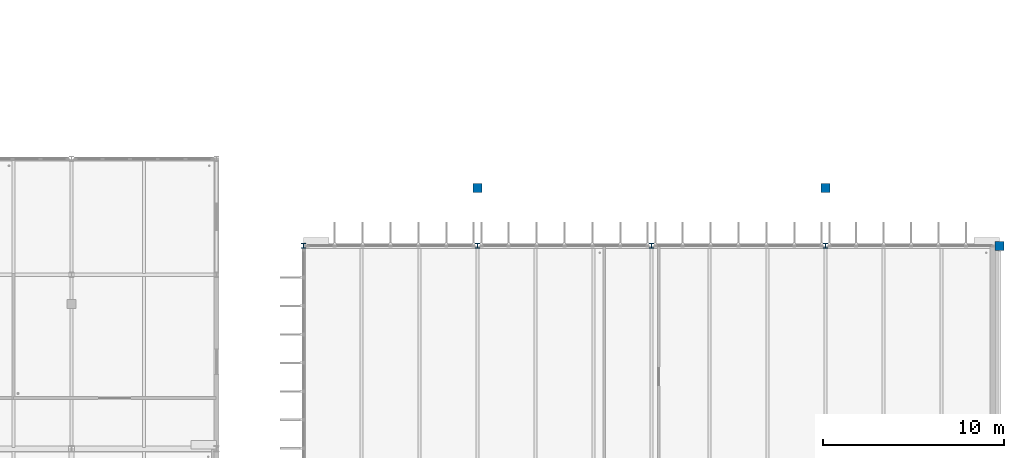
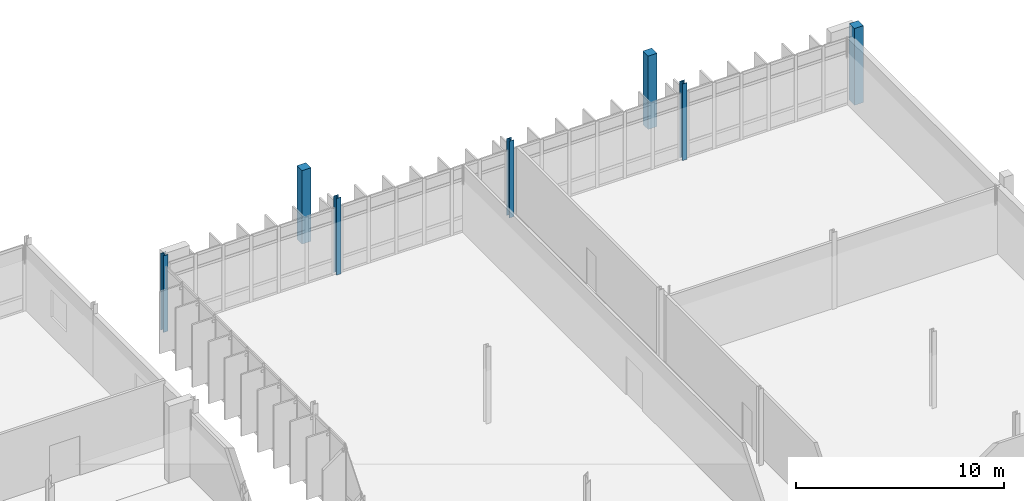
# One storey, part 15 of 107: 7 columns.
"""IFC4 building model written with IfcOpenShell, lengths in metres."""

from ifc_helpers import new_model, si_unit, direction, frame, origin, origin_2d, place, context, subcontext, project, spatial, rectangle, i_section, extrude, material, material_profile, profile_set, type_object, element, save


model = new_model("IFC4")

# Units and contexts
model_context = context("Model", 3, precision=1e-05, world=origin(), true_north=direction((0.0, 1.0)))
body_context = subcontext(model_context, "Body", "Model", "MODEL_VIEW")
ifc_project = project(units=[si_unit("LENGTHUNIT", "METRE"), si_unit("AREAUNIT", "SQUARE_METRE"), si_unit("VOLUMEUNIT", "CUBIC_METRE"), si_unit("PLANEANGLEUNIT", "RADIAN"), si_unit("MASSUNIT", "GRAM", prefix="KILO")], contexts=[model_context])

# Site, building, storey
site_placement = place(None, origin())
site = spatial("IfcSite", under=ifc_project, at=site_placement, CompositionType="ELEMENT")
building_placement = place(site_placement, origin())
building = spatial("IfcBuilding", under=site, at=building_placement, Name="Dunescarp Central Library", CompositionType="ELEMENT")
storey_placement = place(building_placement, frame((0.0, 0.0, 5.10009765625)))
storey = spatial("IfcBuildingStorey", under=building, at=storey_placement, Name="L01", CompositionType="ELEMENT", Elevation=5.10009765625)

# Columns
ifc_material_1 = material(Name="Concrete C40/50", Category="concrete")
ifc_material_profile_1 = material_profile(ifc_material_1, rectangle(XDim=0.5, YDim=0.5, at=origin_2d()), Name="RC 500x500")
ifc_profile_set_1 = profile_set([ifc_material_profile_1], Name="Concrete C40/50")
column_type_1 = type_object("IfcColumnType", Name="STR-COL-RC500", PredefinedType="COLUMN", material=ifc_profile_set_1)
column_placement = place(storey_placement, frame((168.0, 44.800048828125, 0.0), z_axis=(0.0, 0.0, 1.0), x_axis=(1.0, 0.0, 0.0)))
element("IfcColumn", 1, at=column_placement, inside=storey, type_object=column_type_1, Name="L01 column V5-1680-448", PredefinedType="COLUMN", context=body_context, shape_type="SweptSolid", body=[
    extrude(rectangle(XDim=0.5, YDim=0.5, at=origin_2d()), origin(), (0.0, 0.0, 1.0), 4.5),
])
for number, where, z_axis, x_axis, name in (
    (2, (139.199951171875, 48.0, 0.0), (0.0, 0.0, 1.0), (1.0, 0.0, 0.0), "L01 column TERP-1392-480"),
    (3, (158.39990234375, 48.0, 0.0), (0.0, 0.0, 1.0), (1.0, 0.0, 0.0), "L01 column TERP-1584-480"),
):
    element("IfcColumn", number, at=place(storey_placement, frame(where, z_axis=z_axis, x_axis=x_axis)), inside=storey, type_object=column_type_1, Name=name, PredefinedType="COLUMN", context=body_context, shape_type="SweptSolid", body=[
        extrude(rectangle(XDim=0.5, YDim=0.5, at=origin_2d()), origin(), (0.0, 0.0, 1.0), 4.309814453125),
    ])
ifc_material_2 = material(Name="Steel S355JR", Category="steel")
ifc_material_profile_2 = material_profile(ifc_material_2, i_section(OverallWidth=0.2587890625, OverallDepth=0.2666015625, WebThickness=0.0126953125, FlangeThickness=0.0205078125, at=origin_2d()), Name="UC 254x254x107")
ifc_profile_set_2 = profile_set([ifc_material_profile_2], Name="Steel S355JR")
column_type_2 = type_object("IfcColumnType", Name="STR-COL-UC254X107", PredefinedType="COLUMN", material=ifc_profile_set_2)
for number, where, z_axis, x_axis, name in (
    (4, (129.60009765625, 44.800048828125, 0.0), (0.0, 0.0, 1.0), (1.0, 0.0, 0.0), "L01 column V5-1296-448"),
    (5, (139.199951171875, 44.800048828125, 0.0), (0.0, 0.0, 1.0), (1.0, 0.0, 0.0), "L01 column V5-1392-448"),
    (6, (148.800048828125, 44.800048828125, 0.0), (0.0, 0.0, 1.0), (1.0, 0.0, 0.0), "L01 column V5-1488-448"),
    (7, (158.39990234375, 44.800048828125, 0.0), (0.0, 0.0, 1.0), (1.0, 0.0, 0.0), "L01 column V5-1584-448"),
):
    element("IfcColumn", number, at=place(storey_placement, frame(where, z_axis=z_axis, x_axis=x_axis)), inside=storey, type_object=column_type_2, Name=name, PredefinedType="COLUMN", context=body_context, shape_type="SweptSolid", body=[
        extrude(i_section(OverallWidth=0.2587890625, OverallDepth=0.2666015625, WebThickness=0.0126953125, FlangeThickness=0.0205078125, at=origin_2d()), origin(), (0.0, 0.0, 1.0), 4.5),
    ])

save(model, "model.ifc")
